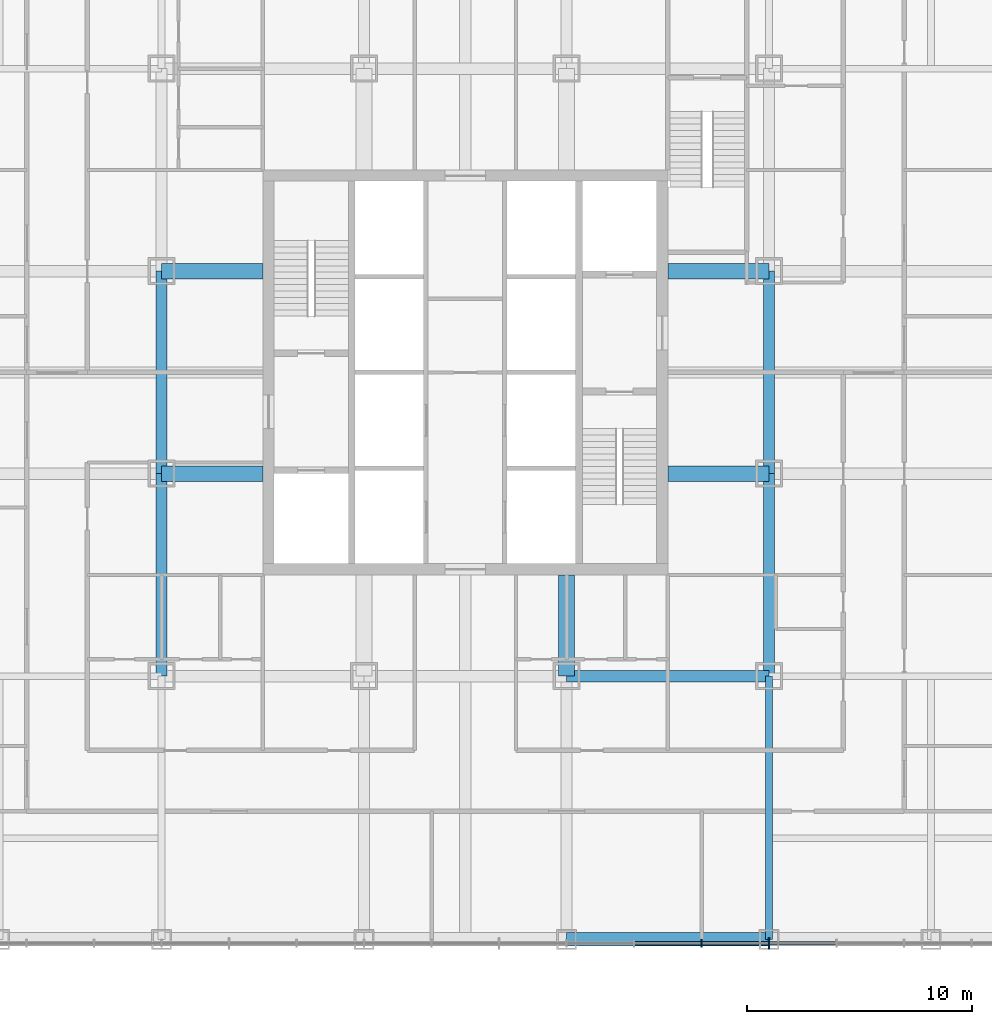
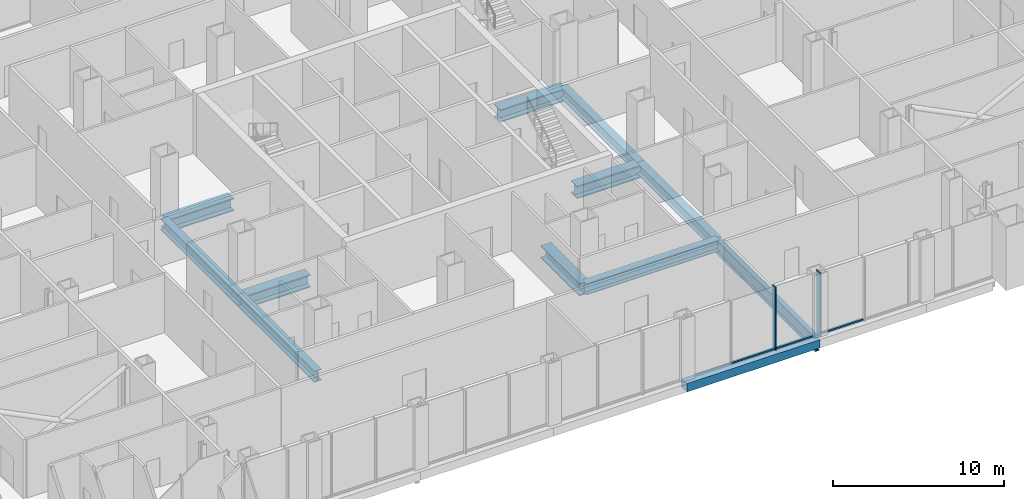
# One storey, part 7 of 25: 12 beams, 5 members, 1 element without a shape of its own.
"""IFC4 building model written with IfcOpenShell, lengths in metres."""

from ifc_helpers import new_model, si_unit, direction, frame, origin, origin_2d, place, context, subcontext, project, spatial, rectangle, hollow_rectangle, i_section, extrude, material, layer, layer_set, material_profile, profile_set, type_object, element, aggregate, save


model = new_model("IFC4")

# Units and contexts
model_context = context("Model", 3, precision=1e-05, world=origin(), true_north=direction((0.0, 1.0)))
body_context = subcontext(model_context, "Body", "Model", "MODEL_VIEW")
ifc_project = project(units=[si_unit("LENGTHUNIT", "METRE"), si_unit("AREAUNIT", "SQUARE_METRE"), si_unit("VOLUMEUNIT", "CUBIC_METRE"), si_unit("PLANEANGLEUNIT", "RADIAN"), si_unit("MASSUNIT", "GRAM", prefix="KILO")], contexts=[model_context])

# Site, building, storey
site_placement = place(None, origin())
site = spatial("IfcSite", under=ifc_project, at=site_placement, CompositionType="ELEMENT")
building_placement = place(site_placement, origin())
building = spatial("IfcBuilding", under=site, at=building_placement, Name="Malebo Sky Hospital", CompositionType="ELEMENT")
storey_placement = place(building_placement, frame((0.0, 0.0, 16.5)))
storey = spatial("IfcBuildingStorey", under=building, at=storey_placement, Name="L03", CompositionType="ELEMENT", Elevation=16.5)

# Curtain wall, members
ifc_material_1 = material(Name="Anodised aluminium, natural silver", Category="aluminium")
ifc_layer = layer(ifc_material_1, 0.25)
ifc_layer_set = layer_set([ifc_layer], Name="PODIUM ENTRANCE BAY CURTAIN WALL")
curtain_wall_type = type_object("IfcCurtainWallType", Name="PODIUM ENTRANCE BAY CURTAIN WALL", PredefinedType="NOTDEFINED", material=ifc_layer_set)
curtain_wall_placement = place(storey_placement, origin())
curtain_wall = element("IfcCurtainWall", 1, at=curtain_wall_placement, inside=storey, type_object=curtain_wall_type, Name="BAY curtain wall BS", PredefinedType="NOTDEFINED")
ifc_material_profile_1 = material_profile(ifc_material_1, rectangle(XDim=0.14990234375, YDim=0.10009765625, at=origin_2d()), Name="ALUMINIUM TRANSOM 150x100")
ifc_profile_set_1 = profile_set([ifc_material_profile_1], Name="Anodised aluminium, natural silver")
member_type_1 = type_object("IfcMemberType", Name="ALUMINIUM TRANSOM 150x100", PredefinedType="USERDEFINED", material=ifc_profile_set_1)
member_1_placement = place(storey_placement, frame((67.53759765625, 36.625, 0.050048828125), z_axis=(1.0, 0.0, 0.0), x_axis=(0.0, 1.0, 0.0)))
member_1 = element("IfcMember", 2, at=member_1_placement, type_object=member_type_1, Name="Transom 12", ObjectType="TRANSOM", PredefinedType="USERDEFINED", context=body_context, shape_type="SweptSolid", body=[
    extrude(rectangle(XDim=0.14990234375, YDim=0.10009765625, at=origin_2d()), origin(), (0.0, 0.0, 1.0), 2.9248046875),
])
member_2_placement = place(storey_placement, frame((70.53759765625, 36.625, 0.050048828125), z_axis=(1.0, 0.0, 0.0), x_axis=(0.0, 1.0, 0.0)))
member_2 = element("IfcMember", 3, at=member_2_placement, type_object=member_type_1, Name="Transom 13", ObjectType="TRANSOM", PredefinedType="USERDEFINED", context=body_context, shape_type="SweptSolid", body=[
    extrude(rectangle(XDim=0.14990234375, YDim=0.10009765625, at=origin_2d()), origin(), (0.0, 0.0, 1.0), 2.9248046875),
])
member_3_placement = place(storey_placement, frame((73.53759765625, 36.625, 0.050048828125), z_axis=(1.0, 0.0, 0.0), x_axis=(0.0, 1.0, 0.0)))
member_3 = element("IfcMember", 4, at=member_3_placement, type_object=member_type_1, Name="Transom 14", ObjectType="TRANSOM", PredefinedType="USERDEFINED", context=body_context, shape_type="SweptSolid", body=[
    extrude(rectangle(XDim=0.14990234375, YDim=0.10009765625, at=origin_2d()), origin(), (0.0, 0.0, 1.0), 2.9248046875),
])
ifc_material_profile_2 = material_profile(ifc_material_1, rectangle(XDim=0.074951171875, YDim=0.35009765625, at=origin_2d()), Name="CW4 ALUMINIUM FIN MULLION 75x350")
ifc_profile_set_2 = profile_set([ifc_material_profile_2], Name="Anodised aluminium, natural silver")
member_type_2 = type_object("IfcMemberType", Name="CW4 ALUMINIUM FIN MULLION 75x350", PredefinedType="MULLION", material=ifc_profile_set_2)
member_4_placement = place(storey_placement, frame((70.5, 36.625, 0.0), z_axis=(0.0, 0.0, 1.0), x_axis=(1.0, 0.0, 0.0)))
member_4 = element("IfcMember", 5, at=member_4_placement, type_object=member_type_2, Name="Fin mullion 13", PredefinedType="MULLION", context=body_context, shape_type="SweptSolid", body=[
    extrude(rectangle(XDim=0.074951171875, YDim=0.35009765625, at=origin_2d()), origin(), (0.0, 0.0, 1.0), 4.5),
])
ifc_material_profile_3 = material_profile(ifc_material_1, rectangle(XDim=0.074951171875, YDim=0.5, at=origin_2d()), Name="CW4 ALUMINIUM FIN MULLION 75x500")
ifc_profile_set_3 = profile_set([ifc_material_profile_3], Name="Anodised aluminium, natural silver")
member_type_3 = type_object("IfcMemberType", Name="CW4 ALUMINIUM FIN MULLION 75x500", PredefinedType="MULLION", material=ifc_profile_set_3)
member_5_placement = place(storey_placement, frame((73.5, 36.625, 0.0), z_axis=(0.0, 0.0, 1.0), x_axis=(1.0, 0.0, 0.0)))
member_5 = element("IfcMember", 6, at=member_5_placement, type_object=member_type_3, Name="Fin mullion 14", PredefinedType="MULLION", context=body_context, shape_type="SweptSolid", body=[
    extrude(rectangle(XDim=0.074951171875, YDim=0.5, at=origin_2d()), origin(), (0.0, 0.0, 1.0), 4.5),
])
aggregate(curtain_wall, [member_4, member_5, member_1, member_2, member_3])

# Beams
ifc_material_2 = material(Name="Steel S460", Category="steel")
ifc_material_profile_4 = material_profile(ifc_material_2, hollow_rectangle(XDim=0.60009765625, YDim=0.60009765625, WallThickness=0.0400390625, at=origin_2d()), Name="BOX 600x600x40")
ifc_profile_set_4 = profile_set([ifc_material_profile_4], Name="Steel S460")
beam_type_1 = type_object("IfcBeamType", Name="EDGE BEAM BOX 600x600x40", PredefinedType="BEAM", material=ifc_profile_set_4)
beam_1_placement = place(storey_placement, frame((64.5, 36.800048828125, -0.60009765625), z_axis=(1.0, 0.0, 0.0), x_axis=(0.0, 1.0, 0.0)))
element("IfcBeam", 7, at=beam_1_placement, inside=storey, type_object=beam_type_1, Name="Beam 042 L03", PredefinedType="BEAM", context=body_context, shape_type="SweptSolid", body=[
    extrude(hollow_rectangle(XDim=0.60009765625, YDim=0.60009765625, WallThickness=0.0400390625, at=origin_2d()), origin(), (0.0, 0.0, 1.0), 9.0),
])
ifc_material_3 = material(Name="Steel S355", Category="steel")
ifc_material_profile_5 = material_profile(ifc_material_3, i_section(OverallWidth=0.5, OverallDepth=0.800048828125, WebThickness=0.030029296875, FlangeThickness=0.050048828125, at=origin_2d()), Name="PG 800x500x30x50")
ifc_profile_set_5 = profile_set([ifc_material_profile_5], Name="Steel S355")
beam_type_2 = type_object("IfcBeamType", Name="FLOOR BEAM PG 800x500x30x50", PredefinedType="BEAM", material=ifc_profile_set_5)
for number, where, z_axis, x_axis, name in (
    (8, (46.5, 48.5, -0.699951171875), (0.0, 1.0, 0.0), (-1.0, 0.0, 0.0), "Beam 010 L03"),
    (9, (73.5, 48.5, -0.699951171875), (0.0, 1.0, 0.0), (-1.0, 0.0, 0.0), "Beam 025 L03"),
    (10, (64.5, 48.5, -0.699951171875), (1.0, 0.0, 0.0), (0.0, 1.0, 0.0), "Beam 050 L03"),
):
    element("IfcBeam", number, at=place(storey_placement, frame(where, z_axis=z_axis, x_axis=x_axis)), inside=storey, type_object=beam_type_2, Name=name, PredefinedType="BEAM", context=body_context, shape_type="SweptSolid", body=[
        extrude(i_section(OverallWidth=0.5, OverallDepth=0.800048828125, WebThickness=0.030029296875, FlangeThickness=0.050048828125, at=origin_2d()), origin(), (0.0, 0.0, 1.0), 9.0),
    ])
ifc_material_profile_6 = material_profile(ifc_material_3, i_section(OverallWidth=0.699951171875, OverallDepth=0.89990234375, WebThickness=0.0400390625, FlangeThickness=0.070068359375, at=origin_2d()), Name="PG 900x700x40x70")
ifc_profile_set_6 = profile_set([ifc_material_profile_6], Name="Steel S355")
beam_type_3 = type_object("IfcBeamType", Name="FLOOR BEAM PG 900x700x40x70", PredefinedType="BEAM", material=ifc_profile_set_6)
for number, where, z_axis, x_axis, name in (
    (11, (64.5, 48.5, -0.75), (0.0, 1.0, 0.0), (-1.0, 0.0, 0.0), "Beam 021 L03"),
    (12, (46.5, 57.5, -0.75), (1.0, 0.0, 0.0), (0.0, 1.0, 0.0), "Beam 053 L03"),
    (13, (69.0, 57.5, -0.75), (1.0, 0.0, 0.0), (0.0, 1.0, 0.0), "Beam 054 L03"),
    (14, (46.5, 66.5, -0.75), (1.0, 0.0, 0.0), (0.0, 1.0, 0.0), "Beam 059 L03"),
    (15, (69.0, 66.5, -0.75), (1.0, 0.0, 0.0), (0.0, 1.0, 0.0), "Beam 060 L03"),
):
    element("IfcBeam", number, at=place(storey_placement, frame(where, z_axis=z_axis, x_axis=x_axis)), inside=storey, type_object=beam_type_3, Name=name, PredefinedType="BEAM", context=body_context, shape_type="SweptSolid", body=[
        extrude(i_section(OverallWidth=0.699951171875, OverallDepth=0.89990234375, WebThickness=0.0400390625, FlangeThickness=0.070068359375, at=origin_2d()), origin(), (0.0, 0.0, 1.0), 4.5),
    ])
ifc_material_profile_7 = material_profile(ifc_material_3, i_section(OverallWidth=0.300048828125, OverallDepth=1.0, WebThickness=0.01904296875, FlangeThickness=0.035888671875, FilletRadius=0.030029296875, at=origin_2d()), Name="HEB 1000")
ifc_profile_set_7 = profile_set([ifc_material_profile_7], Name="Steel S355")
beam_type_4 = type_object("IfcBeamType", Name="FLOOR GIRDER HEB 1000", PredefinedType="BEAM", material=ifc_profile_set_7)
beam_2_placement = place(storey_placement, frame((73.5, 36.800048828125, -0.800048828125), z_axis=(0.0, 1.0, 0.0), x_axis=(-1.0, 0.0, 0.0)))
element("IfcBeam", 16, at=beam_2_placement, inside=storey, type_object=beam_type_4, Name="Beam 024 L03", PredefinedType="BEAM", context=body_context, shape_type="SweptSolid", body=[
    extrude(i_section(OverallWidth=0.300048828125, OverallDepth=1.0, WebThickness=0.01904296875, FlangeThickness=0.035888671875, FilletRadius=0.030029296875, at=origin_2d()), origin(), (0.0, 0.0, 1.0), 11.699951171875),
])
ifc_material_profile_8 = material_profile(ifc_material_3, i_section(OverallWidth=0.5, OverallDepth=0.800048828125, WebThickness=0.030029296875, FlangeThickness=0.050048828125, at=origin_2d()), Name="PG 800x500x30x50")
ifc_profile_set_8 = profile_set([ifc_material_profile_8], Name="Steel S355")
beam_type_5 = type_object("IfcBeamType", Name="RING GIRDER PG 800x500x30x50", PredefinedType="BEAM", material=ifc_profile_set_8)
for number, where, z_axis, x_axis, name in (
    (17, (46.5, 57.5, -0.699951171875), (0.0, 1.0, 0.0), (-1.0, 0.0, 0.0), "Beam 011 L03"),
    (18, (73.5, 57.5, -0.699951171875), (0.0, 1.0, 0.0), (-1.0, 0.0, 0.0), "Beam 026 L03"),
):
    element("IfcBeam", number, at=place(storey_placement, frame(where, z_axis=z_axis, x_axis=x_axis)), inside=storey, type_object=beam_type_5, Name=name, PredefinedType="BEAM", context=body_context, shape_type="SweptSolid", body=[
        extrude(i_section(OverallWidth=0.5, OverallDepth=0.800048828125, WebThickness=0.030029296875, FlangeThickness=0.050048828125, at=origin_2d()), origin(), (0.0, 0.0, 1.0), 9.0),
    ])

save(model, "model.ifc")
